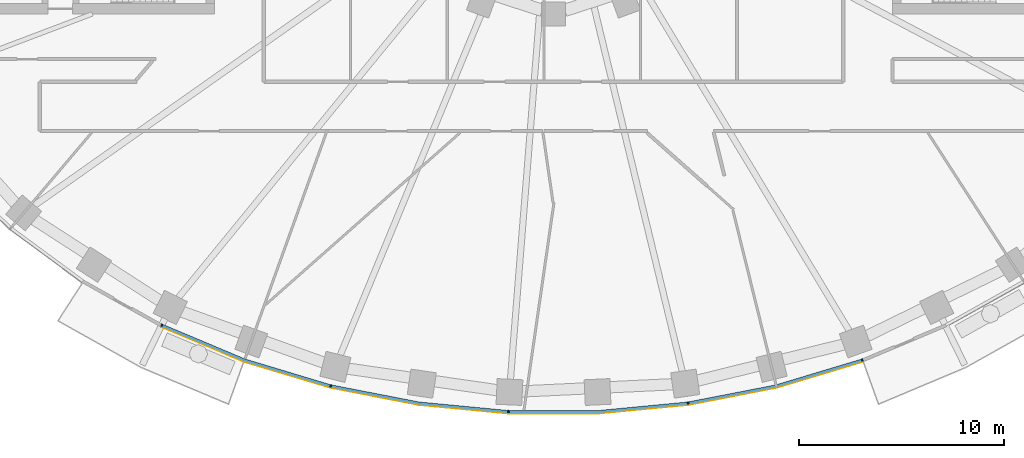
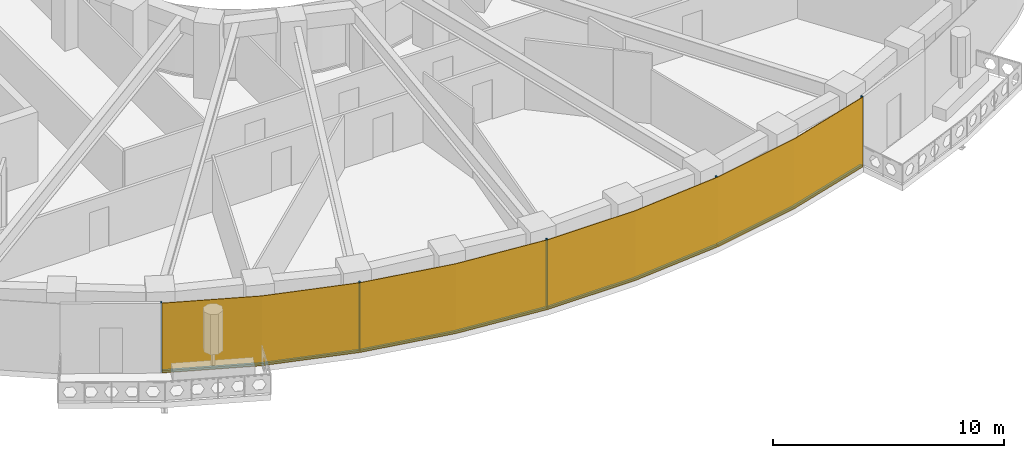
# One storey, part 9 of 15: 9 members, 1 curtain wall.
"""IFC4 building model written with IfcOpenShell, lengths in metres."""

from ifc_helpers import new_model, si_unit, direction, frame, origin, origin_2d, place, context, subcontext, project, spatial, polyline, rectangle, outline, extrude, material, layer, layer_set, material_profile, profile_set, type_object, element, aggregate, save


model = new_model("IFC4")

# Units and contexts
model_context = context("Model", 3, precision=1e-05, world=origin(), true_north=direction((0.0, 1.0)))
body_context = subcontext(model_context, "Body", "Model", "MODEL_VIEW")
ifc_project = project(units=[si_unit("LENGTHUNIT", "METRE"), si_unit("AREAUNIT", "SQUARE_METRE"), si_unit("VOLUMEUNIT", "CUBIC_METRE"), si_unit("PLANEANGLEUNIT", "RADIAN"), si_unit("MASSUNIT", "GRAM", prefix="KILO")], contexts=[model_context])

# Member
ifc_material_1 = material(Name="Aluminium 6063-T6 black anodised", Category="aluminium")
ifc_material_profile = material_profile(ifc_material_1, rectangle(XDim=0.1201171875, YDim=0.06005859375, at=origin_2d()), Name="120x60")
ifc_profile_set = profile_set([ifc_material_profile], Name="Aluminium 6063-T6 black anodised")
member_type_1 = type_object("IfcMemberType", Name="ENV-MULLION-A-120", PredefinedType="MULLION", material=ifc_profile_set)
site_placement = place(None, origin())
building_placement = place(site_placement, origin())
storey_placement = place(building_placement, frame((0.0, 0.0, 128.0)))
member_1_placement = place(storey_placement, frame((-19.06787109375, -23.6474609375, 0.0), z_axis=(0.0, 0.0, 1.0), x_axis=(0.439237769837, 0.898370848563, 0.0)))
member_1 = element("IfcMember", 1, at=member_1_placement, type_object=member_type_1, Name="Mullion A radial 31", PredefinedType="MULLION", context=body_context, shape_type="SweptSolid", body=[
    extrude(rectangle(XDim=0.1201171875, YDim=0.06005859375, at=origin_2d()), origin(), (0.0, 0.0, 1.0), 3.699951171875),
])

member_2_placement = place(storey_placement, frame((-10.84326171875, -26.60498046875, 0.0), z_axis=(0.0, 0.0, 1.0), x_axis=(0.239799081534, 0.970822538106, 0.0)))
member_2 = element("IfcMember", 2, at=member_2_placement, type_object=member_type_1, Name="Mullion A radial 33", PredefinedType="MULLION", context=body_context, shape_type="SweptSolid", body=[
    extrude(rectangle(XDim=0.1201171875, YDim=0.06005859375, at=origin_2d()), origin(), (0.0, 0.0, 1.0), 3.699951171875),
])

member_3_placement = place(storey_placement, frame((-2.188720703125, -27.856201171875, 0.0), z_axis=(0.0, 0.0, 1.0), x_axis=(0.047557873581, 0.998868484166, 0.0)))
member_3 = element("IfcMember", 3, at=member_3_placement, type_object=member_type_1, Name="Mullion A radial 35", PredefinedType="MULLION", context=body_context, shape_type="SweptSolid", body=[
    extrude(rectangle(XDim=0.1201171875, YDim=0.06005859375, at=origin_2d()), origin(), (0.0, 0.0, 1.0), 3.699951171875),
])

member_4_placement = place(storey_placement, frame((6.54638671875, -27.440185546875, 0.0), z_axis=(0.0, 0.0, 1.0), x_axis=(-0.143082012705, 0.989710835366, 0.0)))
member_4 = element("IfcMember", 4, at=member_4_placement, type_object=member_type_1, Name="Mullion A radial 37", PredefinedType="MULLION", context=body_context, shape_type="SweptSolid", body=[
    extrude(rectangle(XDim=0.1201171875, YDim=0.06005859375, at=origin_2d()), origin(), (0.0, 0.0, 1.0), 3.699951171875),
])

member_5_placement = place(storey_placement, frame((15.0341796875, -25.34375, 0.0), z_axis=(0.0, 0.0, 1.0), x_axis=(-0.338379256581, 0.941009818608, 0.0)))
member_5 = element("IfcMember", 5, at=member_5_placement, type_object=member_type_1, Name="Mullion A radial 39", PredefinedType="MULLION", context=body_context, shape_type="SweptSolid", body=[
    extrude(rectangle(XDim=0.1201171875, YDim=0.06005859375, at=origin_2d()), origin(), (0.0, 0.0, 1.0), 3.699951171875),
])

ifc_material_2 = material(Name="Aluminium 6063-T6 black anodised", Category="aluminium")
member_type_2 = type_object("IfcMemberType", Name="ENV-TRANSOM-A", PredefinedType="USERDEFINED", material=ifc_material_2)
member_6_placement = place(storey_placement, origin())
member_6 = element("IfcMember", 6, at=member_6_placement, type_object=member_type_2, Name="Transom A radial 31-33", ObjectType="TRANSOM", PredefinedType="USERDEFINED", context=body_context, shape_type="SweptSolid", body=[
    extrude(outline(polyline([(-19.068359375, -23.71240234375), (-15.054443359375, -25.400146484375), (-10.884521484375, -26.655029296875), (-10.855712890625, -26.53857421875), (-15.013916015625, -25.287109375), (-19.015380859375, -23.604248046875), (-19.068359375, -23.71240234375)])), origin(), (0.0, 0.0, 1.0), 0.10009765625),
])

member_7_placement = place(storey_placement, origin())
member_7 = element("IfcMember", 7, at=member_7_placement, type_object=member_type_2, Name="Transom A radial 33-35", ObjectType="TRANSOM", PredefinedType="USERDEFINED", context=body_context, shape_type="SweptSolid", body=[
    extrude(outline(polyline([(-10.830078125, -26.66845703125), (-6.55517578125, -27.49951171875), (-2.219482421875, -27.913330078125), (-2.2138671875, -27.793212890625), (-6.537841796875, -27.380615234375), (-10.80126953125, -26.552001953125), (-10.830078125, -26.66845703125)])), origin(), (0.0, 0.0, 1.0), 0.10009765625),
])

member_8_placement = place(storey_placement, origin())
member_8 = element("IfcMember", 8, at=member_8_placement, type_object=member_type_2, Name="Transom A radial 35-37", ObjectType="TRANSOM", PredefinedType="USERDEFINED", context=body_context, shape_type="SweptSolid", body=[
    extrude(outline(polyline([(-2.163818359375, -27.916015625), (2.191650390625, -27.916015625), (6.527099609375, -27.502197265625), (6.510009765625, -27.38330078125), (2.185791015625, -27.7958984375), (-2.157958984375, -27.7958984375), (-2.163818359375, -27.916015625)])), origin(), (0.0, 0.0, 1.0), 0.10009765625),
])

member_9_placement = place(storey_placement, origin())
member_9 = element("IfcMember", 9, at=member_9_placement, type_object=member_type_2, Name="Transom A radial 37-39", ObjectType="TRANSOM", PredefinedType="USERDEFINED", context=body_context, shape_type="SweptSolid", body=[
    extrude(outline(polyline([(6.58251953125, -27.494140625), (10.857666015625, -26.6630859375), (15.027587890625, -25.408203125), (14.987060546875, -25.295166015625), (10.828857421875, -26.54638671875), (6.5654296875, -27.375244140625), (6.58251953125, -27.494140625)])), origin(), (0.0, 0.0, 1.0), 0.10009765625),
])

# Site, building, storey
site = spatial("IfcSite", under=ifc_project, at=site_placement, CompositionType="ELEMENT")
building = spatial("IfcBuilding", under=site, at=building_placement, Name="Noorbagh Ring Tower", CompositionType="ELEMENT")
storey = spatial("IfcBuildingStorey", under=building, at=storey_placement, Name="L29", CompositionType="ELEMENT", Elevation=128.0)

# Curtain wall
ifc_material_3 = material(Name="Glass dark tinted laminated", Category="glass")
ifc_layer = layer(ifc_material_3, 0.031982421875)
ifc_layer_set = layer_set([ifc_layer], Name="Glass dark tinted laminated")
curtain_wall_type = type_object("IfcCurtainWallType", Name="ENV-CW-A", PredefinedType="NOTDEFINED", material=ifc_layer_set)
curtain_wall_placement = place(storey_placement, origin())
curtain_wall = element("IfcCurtainWall", 10, at=curtain_wall_placement, inside=storey, type_object=curtain_wall_type, Name="Curtain wall A R31", PredefinedType="NOTDEFINED", context=body_context, shape_type="SweptSolid", body=[
    extrude(outline(polyline([(-19.08984375, -23.738037109375), (-15.065185546875, -25.430419921875), (-10.865234375, -26.6943359375), (-6.559814453125, -27.53125), (-2.193115234375, -27.947998046875), (2.193115234375, -27.947998046875), (6.559814453125, -27.53125), (10.865234375, -26.6943359375), (15.046142578125, -25.43603515625), (15.035400390625, -25.406005859375), (10.857666015625, -26.6630859375), (6.55517578125, -27.49951171875), (2.191650390625, -27.916015625), (-2.191650390625, -27.916015625), (-6.55517578125, -27.49951171875), (-10.857666015625, -26.6630859375), (-15.054443359375, -25.400146484375), (-19.07568359375, -23.709228515625), (-19.08984375, -23.738037109375)])), origin(), (0.0, 0.0, 1.0), 3.699951171875),
])

aggregate(curtain_wall, [member_1, member_2, member_3, member_4, member_5, member_6, member_7, member_8, member_9])

save(model, "model.ifc")
